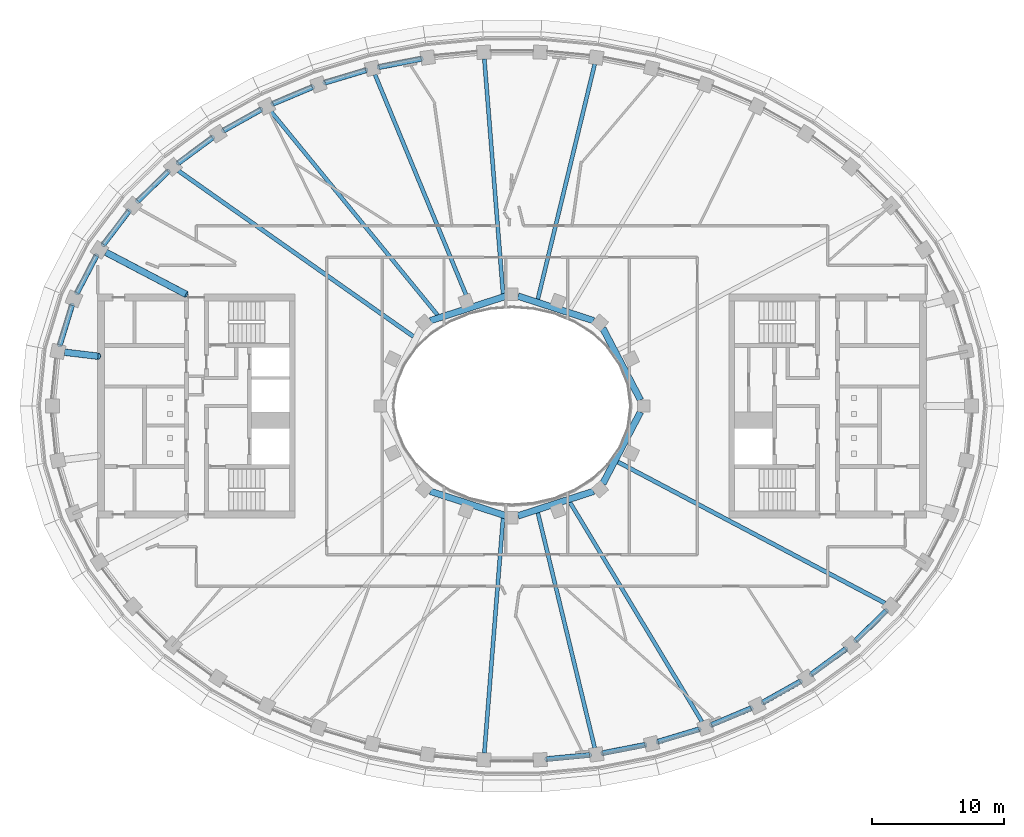
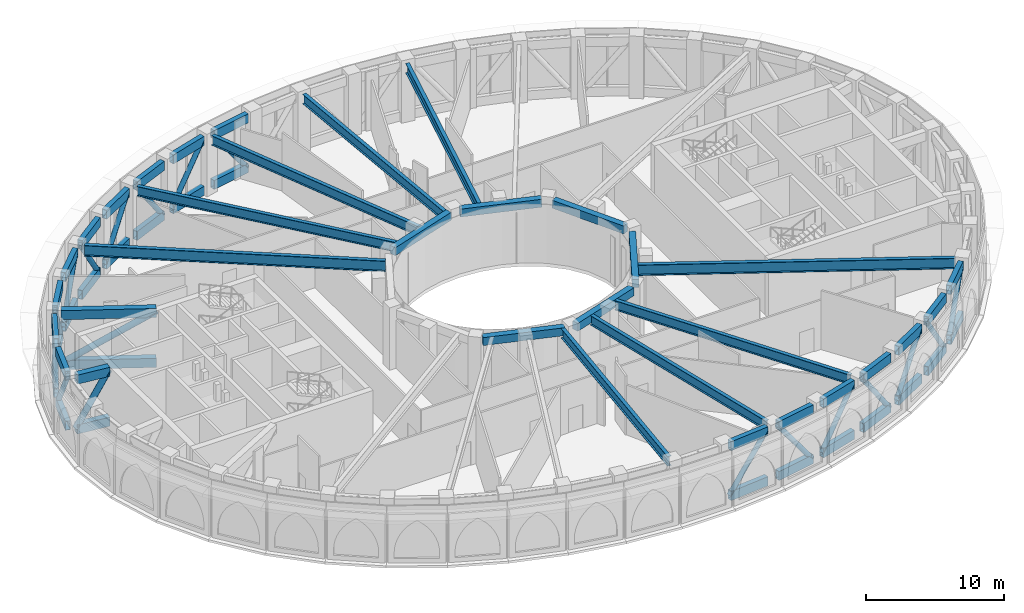
# One storey, part 2 of 23: 51 beams, 18 members.
"""IFC4 building model written with IfcOpenShell, lengths in metres."""

from ifc_helpers import new_model, si_unit, direction, frame, origin, origin_2d, place, context, subcontext, project, spatial, rectangle, hollow_rectangle, hollow_circle, i_section, extrude, material, material_profile, profile_set, type_object, element, save


model = new_model("IFC4")

# Units and contexts
model_context = context("Model", 3, precision=1e-05, world=origin(), true_north=direction((0.0, 1.0)))
body_context = subcontext(model_context, "Body", "Model", "MODEL_VIEW")
ifc_project = project(units=[si_unit("LENGTHUNIT", "METRE"), si_unit("AREAUNIT", "SQUARE_METRE"), si_unit("VOLUMEUNIT", "CUBIC_METRE"), si_unit("PLANEANGLEUNIT", "RADIAN"), si_unit("MASSUNIT", "GRAM", prefix="KILO")], contexts=[model_context])

# Site, building, storey
site_placement = place(None, origin())
site = spatial("IfcSite", under=ifc_project, at=site_placement, CompositionType="ELEMENT")
building_placement = place(site_placement, origin())
building = spatial("IfcBuilding", under=site, at=building_placement, Name="Noorbagh Ring Tower", CompositionType="ELEMENT")
storey_placement = place(building_placement, frame((0.0, 0.0, 285.5)))
storey = spatial("IfcBuildingStorey", under=building, at=storey_placement, Name="L61", CompositionType="ELEMENT", Elevation=285.5)

# Beams
ifc_material_1 = material(Name="Steel S460", Category="steel")
ifc_material_profile_1 = material_profile(ifc_material_1, hollow_rectangle(XDim=0.39990234375, YDim=0.800048828125, WallThickness=0.031982421875, at=origin_2d()), Name="BOX800x400x32")
ifc_profile_set_1 = profile_set([ifc_material_profile_1], Name="Steel S460")
beam_type_1 = type_object("IfcBeamType", Name="STR-BELT-TRUSS-CHORD-BOX800x400x32-S460", PredefinedType="BEAM", material=ifc_profile_set_1)
for number, where, z_axis, x_axis, name in (
    (1, (-6.905517578125, 26.394287109375, 0.39990234375), (-0.981625486335, -0.190817726057, 0.0), (0.190817726057, -0.981625486335, 0.0), "Belt truss chord"),
    (2, (-6.905517578125, 26.394287109375, 4.800048828125), (-0.981625486335, -0.190817726057, 0.0), (0.190817726057, -0.981625486335, 0.0), "Belt truss chord"),
):
    element("IfcBeam", number, at=place(storey_placement, frame(where, z_axis=z_axis, x_axis=x_axis)), inside=storey, type_object=beam_type_1, Name=name, PredefinedType="BEAM", context=body_context, shape_type="SweptSolid", body=[
        extrude(hollow_rectangle(XDim=0.39990234375, YDim=0.800048828125, WallThickness=0.031982421875, at=origin_2d()), origin(), (0.0, 0.0, 1.0), 3.271484375),
    ])
for number, where, z_axis, x_axis, name in (
    (3, (-11.097412109375, 25.52783203125, 0.39990234375), (-0.957591455389, -0.288129492704, 0.0), (0.288129492704, -0.957591455389, 0.0), "Belt truss chord"),
    (4, (-11.097412109375, 25.52783203125, 4.800048828125), (-0.957591455389, -0.288129492704, 0.0), (0.288129492704, -0.957591455389, 0.0), "Belt truss chord"),
):
    element("IfcBeam", number, at=place(storey_placement, frame(where, z_axis=z_axis, x_axis=x_axis)), inside=storey, type_object=beam_type_1, Name=name, PredefinedType="BEAM", context=body_context, shape_type="SweptSolid", body=[
        extrude(hollow_rectangle(XDim=0.39990234375, YDim=0.800048828125, WallThickness=0.031982421875, at=origin_2d()), origin(), (0.0, 0.0, 1.0), 3.266357421875),
    ])
for number, where, z_axis, x_axis, name in (
    (5, (-15.17578125, 24.244873046875, 0.39990234375), (-0.921797458045, -0.38767182815, 0.0), (0.38767182815, -0.921797458045, 0.0), "Belt truss chord"),
    (6, (-15.17578125, 24.244873046875, 4.800048828125), (-0.921797458045, -0.38767182815, 0.0), (0.38767182815, -0.921797458045, 0.0), "Belt truss chord"),
):
    element("IfcBeam", number, at=place(storey_placement, frame(where, z_axis=z_axis, x_axis=x_axis)), inside=storey, type_object=beam_type_1, Name=name, PredefinedType="BEAM", context=body_context, shape_type="SweptSolid", body=[
        extrude(hollow_rectangle(XDim=0.39990234375, YDim=0.800048828125, WallThickness=0.031982421875, at=origin_2d()), origin(), (0.0, 0.0, 1.0), 3.259033203125),
    ])
for number, where, z_axis, x_axis, name in (
    (7, (-19.08740234375, 22.537841796875, 0.39990234375), (-0.872036673164, -0.489440538428, 0.0), (0.489440538428, -0.872036673164, 0.0), "Belt truss chord"),
    (8, (-19.08740234375, 22.537841796875, 4.800048828125), (-0.872036673164, -0.489440538428, 0.0), (0.489440538428, -0.872036673164, 0.0), "Belt truss chord"),
):
    element("IfcBeam", number, at=place(storey_placement, frame(where, z_axis=z_axis, x_axis=x_axis)), inside=storey, type_object=beam_type_1, Name=name, PredefinedType="BEAM", context=body_context, shape_type="SweptSolid", body=[
        extrude(hollow_rectangle(XDim=0.39990234375, YDim=0.800048828125, WallThickness=0.031982421875, at=origin_2d()), origin(), (0.0, 0.0, 1.0), 3.249267578125),
    ])
for number, where, z_axis, x_axis, name in (
    (9, (-22.76953125, 20.39990234375, 0.39990234375), (-0.805139257041, -0.593085808944, 0.0), (0.593085808944, -0.805139257041, 0.0), "Belt truss chord"),
    (10, (-22.76953125, 20.39990234375, 4.800048828125), (-0.805139257041, -0.593085808944, 0.0), (0.593085808944, -0.805139257041, 0.0), "Belt truss chord"),
):
    element("IfcBeam", number, at=place(storey_placement, frame(where, z_axis=z_axis, x_axis=x_axis)), inside=storey, type_object=beam_type_1, Name=name, PredefinedType="BEAM", context=body_context, shape_type="SweptSolid", body=[
        extrude(hollow_rectangle(XDim=0.39990234375, YDim=0.800048828125, WallThickness=0.031982421875, at=origin_2d()), origin(), (0.0, 0.0, 1.0), 3.236328125),
    ])
for number, where, z_axis, x_axis, name in (
    (11, (-26.145751953125, 17.82763671875, 0.39990234375), (-0.717229582564, -0.69683694355, 0.0), (0.69683694355, -0.717229582564, 0.0), "Belt truss chord"),
    (12, (-26.145751953125, 17.82763671875, 4.800048828125), (-0.717229582564, -0.69683694355, 0.0), (0.69683694355, -0.717229582564, 0.0), "Belt truss chord"),
):
    element("IfcBeam", number, at=place(storey_placement, frame(where, z_axis=z_axis, x_axis=x_axis)), inside=storey, type_object=beam_type_1, Name=name, PredefinedType="BEAM", context=body_context, shape_type="SweptSolid", body=[
        extrude(hollow_rectangle(XDim=0.39990234375, YDim=0.800048828125, WallThickness=0.031982421875, at=origin_2d()), origin(), (0.0, 0.0, 1.0), 3.220458984375),
    ])
for number, where, z_axis, x_axis, name in (
    (13, (-29.124755859375, 14.826904296875, 0.39990234375), (-0.604005939895, -0.796979814406, 0.0), (0.796979814406, -0.604005939895, 0.0), "Belt truss chord"),
    (14, (-29.124755859375, 14.826904296875, 4.800048828125), (-0.604005939895, -0.796979814406, 0.0), (0.796979814406, -0.604005939895, 0.0), "Belt truss chord"),
):
    element("IfcBeam", number, at=place(storey_placement, frame(where, z_axis=z_axis, x_axis=x_axis)), inside=storey, type_object=beam_type_1, Name=name, PredefinedType="BEAM", context=body_context, shape_type="SweptSolid", body=[
        extrude(hollow_rectangle(XDim=0.39990234375, YDim=0.800048828125, WallThickness=0.031982421875, at=origin_2d()), origin(), (0.0, 0.0, 1.0), 3.2021484375),
    ])
for number, where, z_axis, x_axis, name in (
    (15, (-31.599365234375, 11.421630859375, 0.39990234375), (-0.462275020648, -0.886736604232, 0.0), (0.886736604232, -0.462275020648, 0.0), "Belt truss chord"),
    (16, (-31.599365234375, 11.421630859375, 4.800048828125), (-0.462275020648, -0.886736604232, 0.0), (0.886736604232, -0.462275020648, 0.0), "Belt truss chord"),
):
    element("IfcBeam", number, at=place(storey_placement, frame(where, z_axis=z_axis, x_axis=x_axis)), inside=storey, type_object=beam_type_1, Name=name, PredefinedType="BEAM", context=body_context, shape_type="SweptSolid", body=[
        extrude(hollow_rectangle(XDim=0.39990234375, YDim=0.800048828125, WallThickness=0.031982421875, at=origin_2d()), origin(), (0.0, 0.0, 1.0), 3.18310546875),
    ])
for number, where, z_axis, x_axis, name in (
    (17, (-33.453369140625, 7.664306640625, 0.39990234375), (-0.292140180951, -0.95637550924, 0.0), (0.95637550924, -0.292140180951, 0.0), "Belt truss chord"),
    (18, (-33.453369140625, 7.664306640625, 4.800048828125), (-0.292140180951, -0.95637550924, 0.0), (0.95637550924, -0.292140180951, 0.0), "Belt truss chord"),
):
    element("IfcBeam", number, at=place(storey_placement, frame(where, z_axis=z_axis, x_axis=x_axis)), inside=storey, type_object=beam_type_1, Name=name, PredefinedType="BEAM", context=body_context, shape_type="SweptSolid", body=[
        extrude(hollow_rectangle(XDim=0.39990234375, YDim=0.800048828125, WallThickness=0.031982421875, at=origin_2d()), origin(), (0.0, 0.0, 1.0), 3.16650390625),
    ])
for number, where, z_axis, x_axis, name in (
    (19, (2.646484375, -26.849853515625, 0.39990234375), (0.99547803004, 0.094992061289, 0.0), (-0.094992061289, 0.99547803004, 0.0), "Belt truss chord"),
    (20, (2.646484375, -26.849853515625, 4.800048828125), (0.99547803004, 0.094992061289, 0.0), (-0.094992061289, 0.99547803004, 0.0), "Belt truss chord"),
):
    element("IfcBeam", number, at=place(storey_placement, frame(where, z_axis=z_axis, x_axis=x_axis)), inside=storey, type_object=beam_type_1, Name=name, PredefinedType="BEAM", context=body_context, shape_type="SweptSolid", body=[
        extrude(hollow_rectangle(XDim=0.39990234375, YDim=0.800048828125, WallThickness=0.031982421875, at=origin_2d()), origin(), (0.0, 0.0, 1.0), 3.2744140625),
    ])
for number, where, z_axis, x_axis, name in (
    (21, (6.905517578125, -26.394287109375, 0.39990234375), (0.981625486335, 0.190817726057, 0.0), (-0.190817726057, 0.981625486335, 0.0), "Belt truss chord"),
    (22, (6.905517578125, -26.394287109375, 4.800048828125), (0.981625486335, 0.190817726057, 0.0), (-0.190817726057, 0.981625486335, 0.0), "Belt truss chord"),
):
    element("IfcBeam", number, at=place(storey_placement, frame(where, z_axis=z_axis, x_axis=x_axis)), inside=storey, type_object=beam_type_1, Name=name, PredefinedType="BEAM", context=body_context, shape_type="SweptSolid", body=[
        extrude(hollow_rectangle(XDim=0.39990234375, YDim=0.800048828125, WallThickness=0.031982421875, at=origin_2d()), origin(), (0.0, 0.0, 1.0), 3.271484375),
    ])
for number, where, z_axis, x_axis, name in (
    (23, (11.097412109375, -25.52783203125, 0.39990234375), (0.957591455389, 0.288129492704, 0.0), (-0.288129492704, 0.957591455389, 0.0), "Belt truss chord"),
    (24, (11.097412109375, -25.52783203125, 4.800048828125), (0.957591455389, 0.288129492704, 0.0), (-0.288129492704, 0.957591455389, 0.0), "Belt truss chord"),
):
    element("IfcBeam", number, at=place(storey_placement, frame(where, z_axis=z_axis, x_axis=x_axis)), inside=storey, type_object=beam_type_1, Name=name, PredefinedType="BEAM", context=body_context, shape_type="SweptSolid", body=[
        extrude(hollow_rectangle(XDim=0.39990234375, YDim=0.800048828125, WallThickness=0.031982421875, at=origin_2d()), origin(), (0.0, 0.0, 1.0), 3.266357421875),
    ])
for number, where, z_axis, x_axis, name in (
    (25, (15.17578125, -24.244873046875, 0.39990234375), (0.921797458045, 0.38767182815, 0.0), (-0.38767182815, 0.921797458045, 0.0), "Belt truss chord"),
    (26, (15.17578125, -24.244873046875, 4.800048828125), (0.921797458045, 0.38767182815, 0.0), (-0.38767182815, 0.921797458045, 0.0), "Belt truss chord"),
):
    element("IfcBeam", number, at=place(storey_placement, frame(where, z_axis=z_axis, x_axis=x_axis)), inside=storey, type_object=beam_type_1, Name=name, PredefinedType="BEAM", context=body_context, shape_type="SweptSolid", body=[
        extrude(hollow_rectangle(XDim=0.39990234375, YDim=0.800048828125, WallThickness=0.031982421875, at=origin_2d()), origin(), (0.0, 0.0, 1.0), 3.259033203125),
    ])
for number, where, z_axis, x_axis, name in (
    (27, (19.08740234375, -22.537841796875, 0.39990234375), (0.872036673164, 0.489440538428, 0.0), (-0.489440538428, 0.872036673164, 0.0), "Belt truss chord"),
    (28, (19.08740234375, -22.537841796875, 4.800048828125), (0.872036673164, 0.489440538428, 0.0), (-0.489440538428, 0.872036673164, 0.0), "Belt truss chord"),
):
    element("IfcBeam", number, at=place(storey_placement, frame(where, z_axis=z_axis, x_axis=x_axis)), inside=storey, type_object=beam_type_1, Name=name, PredefinedType="BEAM", context=body_context, shape_type="SweptSolid", body=[
        extrude(hollow_rectangle(XDim=0.39990234375, YDim=0.800048828125, WallThickness=0.031982421875, at=origin_2d()), origin(), (0.0, 0.0, 1.0), 3.249267578125),
    ])
for number, where, z_axis, x_axis, name in (
    (29, (22.76953125, -20.39990234375, 0.39990234375), (0.805139257041, 0.593085808944, 0.0), (-0.593085808944, 0.805139257041, 0.0), "Belt truss chord"),
    (30, (22.76953125, -20.39990234375, 4.800048828125), (0.805139257041, 0.593085808944, 0.0), (-0.593085808944, 0.805139257041, 0.0), "Belt truss chord"),
):
    element("IfcBeam", number, at=place(storey_placement, frame(where, z_axis=z_axis, x_axis=x_axis)), inside=storey, type_object=beam_type_1, Name=name, PredefinedType="BEAM", context=body_context, shape_type="SweptSolid", body=[
        extrude(hollow_rectangle(XDim=0.39990234375, YDim=0.800048828125, WallThickness=0.031982421875, at=origin_2d()), origin(), (0.0, 0.0, 1.0), 3.236328125),
    ])
for number, where, z_axis, x_axis, name in (
    (31, (26.145751953125, -17.82763671875, 0.39990234375), (0.717229582564, 0.69683694355, 0.0), (-0.69683694355, 0.717229582564, 0.0), "Belt truss chord"),
    (32, (26.145751953125, -17.82763671875, 4.800048828125), (0.717229582564, 0.69683694355, 0.0), (-0.69683694355, 0.717229582564, 0.0), "Belt truss chord"),
):
    element("IfcBeam", number, at=place(storey_placement, frame(where, z_axis=z_axis, x_axis=x_axis)), inside=storey, type_object=beam_type_1, Name=name, PredefinedType="BEAM", context=body_context, shape_type="SweptSolid", body=[
        extrude(hollow_rectangle(XDim=0.39990234375, YDim=0.800048828125, WallThickness=0.031982421875, at=origin_2d()), origin(), (0.0, 0.0, 1.0), 3.220458984375),
    ])

# Members
ifc_material_2 = material(Name="Steel S355", Category="steel")
ifc_material_profile_2 = material_profile(ifc_material_2, hollow_circle(Radius=0.203125, WallThickness=0.01611328125, at=origin_2d()), Name="CHS406.4x16")
ifc_profile_set_2 = profile_set([ifc_material_profile_2], Name="Steel S355")
member_type_1 = type_object("IfcMemberType", Name="STR-BELT-TRUSS-DIAGONAL-CHS406.4x16", PredefinedType="BRACE", material=ifc_profile_set_2)
member_1_placement = place(storey_placement, frame((-6.905517578125, 26.394287109375, 0.39990234375), z_axis=(-0.585696554173, -0.113853283337, 0.802494221975), x_axis=(0.190817726057, -0.981625486335, 0.0)))
element("IfcMember", 33, at=member_1_placement, inside=storey, type_object=member_type_1, Name="Belt truss diagonal", PredefinedType="BRACE", context=body_context, shape_type="SweptSolid", body=[
    extrude(hollow_circle(Radius=0.203125, WallThickness=0.01611328125, at=origin_2d()), origin(), (0.0, 0.0, 1.0), 5.483154296875),
])
member_2_placement = place(storey_placement, frame((-14.225341796875, 24.586669921875, 0.39990234375), z_axis=(0.570784203225, 0.171743139512, 0.802938159125), x_axis=(-0.288129492704, 0.957591455389, 0.0)))
element("IfcMember", 34, at=member_2_placement, inside=storey, type_object=member_type_1, Name="Belt truss diagonal", PredefinedType="BRACE", context=body_context, shape_type="SweptSolid", body=[
    extrude(hollow_circle(Radius=0.203125, WallThickness=0.01611328125, at=origin_2d()), origin(), (0.0, 0.0, 1.0), 5.47998046875),
])
member_3_placement = place(storey_placement, frame((-15.17578125, 24.244873046875, 0.39990234375), z_axis=(-0.548640736729, -0.230736758437, 0.803588134748), x_axis=(0.38767182815, -0.921797458045, 0.0)))
element("IfcMember", 35, at=member_3_placement, inside=storey, type_object=member_type_1, Name="Belt truss diagonal", PredefinedType="BRACE", context=body_context, shape_type="SweptSolid", body=[
    extrude(hollow_circle(Radius=0.203125, WallThickness=0.01611328125, at=origin_2d()), origin(), (0.0, 0.0, 1.0), 5.4755859375),
])
member_4_placement = place(storey_placement, frame((-21.9208984375, 20.947509765625, 0.39990234375), z_axis=(0.518021789464, 0.290745643337, 0.804437938266), x_axis=(-0.489440538428, 0.872036673164, 0.0)))
element("IfcMember", 36, at=member_4_placement, inside=storey, type_object=member_type_1, Name="Belt truss diagonal", PredefinedType="BRACE", context=body_context, shape_type="SweptSolid", body=[
    extrude(hollow_circle(Radius=0.203125, WallThickness=0.01611328125, at=origin_2d()), origin(), (0.0, 0.0, 1.0), 5.4697265625),
])
member_5_placement = place(storey_placement, frame((-22.76953125, 20.39990234375, 0.39990234375), z_axis=(-0.47704757351, -0.351405230295, 0.805568108064), x_axis=(0.593085808944, -0.805139257041, 0.0)))
element("IfcMember", 37, at=member_5_placement, inside=storey, type_object=member_type_1, Name="Belt truss diagonal", PredefinedType="BRACE", context=body_context, shape_type="SweptSolid", body=[
    extrude(hollow_circle(Radius=0.203125, WallThickness=0.01611328125, at=origin_2d()), origin(), (0.0, 0.0, 1.0), 5.462158203125),
])
member_6_placement = place(storey_placement, frame((-28.45556640625, 15.58349609375, 0.39990234375), z_axis=(0.423603877788, 0.411559755271, 0.806956208579), x_axis=(-0.69683694355, 0.717229582564, 0.0)))
element("IfcMember", 38, at=member_6_placement, inside=storey, type_object=member_type_1, Name="Belt truss diagonal", PredefinedType="BRACE", context=body_context, shape_type="SweptSolid", body=[
    extrude(hollow_circle(Radius=0.203125, WallThickness=0.01611328125, at=origin_2d()), origin(), (0.0, 0.0, 1.0), 5.452880859375),
])
member_7_placement = place(storey_placement, frame((-29.124755859375, 14.826904296875, 0.39990234375), z_axis=(-0.355403249819, -0.468951043973, 0.808562581607), x_axis=(0.796979814406, -0.604005939895, 0.0)))
element("IfcMember", 39, at=member_7_placement, inside=storey, type_object=member_type_1, Name="Belt truss diagonal", PredefinedType="BRACE", context=body_context, shape_type="SweptSolid", body=[
    extrude(hollow_circle(Radius=0.203125, WallThickness=0.01611328125, at=origin_2d()), origin(), (0.0, 0.0, 1.0), 5.44189453125),
])
member_8_placement = place(storey_placement, frame((-33.07080078125, 8.59912109375, 0.39990234375), z_axis=(0.270945515121, 0.519728073721, 0.810229138714), x_axis=(-0.886736604232, 0.462275020648, 0.0)))
element("IfcMember", 40, at=member_8_placement, inside=storey, type_object=member_type_1, Name="Belt truss diagonal", PredefinedType="BRACE", context=body_context, shape_type="SweptSolid", body=[
    extrude(hollow_circle(Radius=0.203125, WallThickness=0.01611328125, at=origin_2d()), origin(), (0.0, 0.0, 1.0), 5.4306640625),
])
member_9_placement = place(storey_placement, frame((-33.453369140625, 7.664306640625, 0.39990234375), z_axis=(-0.170640316934, -0.558622985288, 0.811678657194), x_axis=(0.95637550924, -0.292140180951, 0.0)))
element("IfcMember", 41, at=member_9_placement, inside=storey, type_object=member_type_1, Name="Belt truss diagonal", PredefinedType="BRACE", context=body_context, shape_type="SweptSolid", body=[
    extrude(hollow_circle(Radius=0.203125, WallThickness=0.01611328125, at=origin_2d()), origin(), (0.0, 0.0, 1.0), 5.421142578125),
])
member_10_placement = place(storey_placement, frame((2.646484375, -26.849853515625, 0.39990234375), z_axis=(0.594287775286, 0.056709057427, 0.802250660923), x_axis=(-0.094992061289, 0.99547803004, 0.0)))
element("IfcMember", 42, at=member_10_placement, inside=storey, type_object=member_type_1, Name="Belt truss diagonal", PredefinedType="BRACE", context=body_context, shape_type="SweptSolid", body=[
    extrude(hollow_circle(Radius=0.203125, WallThickness=0.01611328125, at=origin_2d()), origin(), (0.0, 0.0, 1.0), 5.48486328125),
])
member_11_placement = place(storey_placement, frame((10.116943359375, -25.77001953125, 0.39990234375), z_axis=(-0.585696554173, -0.113853283337, 0.802494221975), x_axis=(0.190817726057, -0.981625486335, 0.0)))
element("IfcMember", 43, at=member_11_placement, inside=storey, type_object=member_type_1, Name="Belt truss diagonal", PredefinedType="BRACE", context=body_context, shape_type="SweptSolid", body=[
    extrude(hollow_circle(Radius=0.203125, WallThickness=0.01611328125, at=origin_2d()), origin(), (0.0, 0.0, 1.0), 5.483154296875),
])
member_12_placement = place(storey_placement, frame((11.097412109375, -25.52783203125, 0.39990234375), z_axis=(0.570784203225, 0.171743139512, 0.802938159125), x_axis=(-0.288129492704, 0.957591455389, 0.0)))
element("IfcMember", 44, at=member_12_placement, inside=storey, type_object=member_type_1, Name="Belt truss diagonal", PredefinedType="BRACE", context=body_context, shape_type="SweptSolid", body=[
    extrude(hollow_circle(Radius=0.203125, WallThickness=0.01611328125, at=origin_2d()), origin(), (0.0, 0.0, 1.0), 5.47998046875),
])
member_13_placement = place(storey_placement, frame((18.179931640625, -22.9814453125, 0.39990234375), z_axis=(-0.548640736729, -0.230736758437, 0.803588134748), x_axis=(0.38767182815, -0.921797458045, 0.0)))
element("IfcMember", 45, at=member_13_placement, inside=storey, type_object=member_type_1, Name="Belt truss diagonal", PredefinedType="BRACE", context=body_context, shape_type="SweptSolid", body=[
    extrude(hollow_circle(Radius=0.203125, WallThickness=0.01611328125, at=origin_2d()), origin(), (0.0, 0.0, 1.0), 5.4755859375),
])
member_14_placement = place(storey_placement, frame((19.08740234375, -22.537841796875, 0.39990234375), z_axis=(0.518021789464, 0.290745643337, 0.804437938266), x_axis=(-0.489440538428, 0.872036673164, 0.0)))
element("IfcMember", 46, at=member_14_placement, inside=storey, type_object=member_type_1, Name="Belt truss diagonal", PredefinedType="BRACE", context=body_context, shape_type="SweptSolid", body=[
    extrude(hollow_circle(Radius=0.203125, WallThickness=0.01611328125, at=origin_2d()), origin(), (0.0, 0.0, 1.0), 5.4697265625),
])
member_15_placement = place(storey_placement, frame((25.375244140625, -18.48046875, 0.39990234375), z_axis=(-0.47704757351, -0.351405230295, 0.805568108064), x_axis=(0.593085808944, -0.805139257041, 0.0)))
element("IfcMember", 47, at=member_15_placement, inside=storey, type_object=member_type_1, Name="Belt truss diagonal", PredefinedType="BRACE", context=body_context, shape_type="SweptSolid", body=[
    extrude(hollow_circle(Radius=0.203125, WallThickness=0.01611328125, at=origin_2d()), origin(), (0.0, 0.0, 1.0), 5.462158203125),
])
member_16_placement = place(storey_placement, frame((26.145751953125, -17.82763671875, 0.39990234375), z_axis=(0.423603877788, 0.411559755271, 0.806956208579), x_axis=(-0.69683694355, 0.717229582564, 0.0)))
element("IfcMember", 48, at=member_16_placement, inside=storey, type_object=member_type_1, Name="Belt truss diagonal", PredefinedType="BRACE", context=body_context, shape_type="SweptSolid", body=[
    extrude(hollow_circle(Radius=0.203125, WallThickness=0.01611328125, at=origin_2d()), origin(), (0.0, 0.0, 1.0), 5.452880859375),
])

# Beams
ifc_material_3 = material(Name="Steel S460", Category="steel")
ifc_material_profile_3 = material_profile(ifc_material_3, hollow_rectangle(XDim=0.5, YDim=0.800048828125, WallThickness=0.0400390625, at=origin_2d()), Name="BOX800x500x40")
ifc_profile_set_3 = profile_set([ifc_material_profile_3], Name="Steel S460")
beam_type_2 = type_object("IfcBeamType", Name="STR-OUTRIGGER-TRUSS-CHORD-BOX800x500x40-S460", PredefinedType="BEAM", material=ifc_profile_set_3)
for number, where, z_axis, x_axis, name in (
    (49, (-30.88232421875, 11.688232421875, 0.39990234375), (0.885600826851, -0.464447171895, 0.0), (0.464447171895, 0.885600826851, 0.0), "Outrigger truss chord"),
    (50, (-30.88232421875, 11.688232421875, 4.800048828125), (0.885600826851, -0.464447171895, 0.0), (0.464447171895, 0.885600826851, 0.0), "Outrigger truss chord"),
):
    element("IfcBeam", number, at=place(storey_placement, frame(where, z_axis=z_axis, x_axis=x_axis)), inside=storey, type_object=beam_type_2, Name=name, PredefinedType="BEAM", context=body_context, shape_type="SweptSolid", body=[
        extrude(hollow_rectangle(XDim=0.5, YDim=0.800048828125, WallThickness=0.0400390625, at=origin_2d()), origin(), (0.0, 0.0, 1.0), 6.8798828125),
    ])
for number, where, z_axis, x_axis, name in (
    (51, (-34.023681640625, 4.090087890625, 0.39990234375), (0.992856079473, -0.119318085189, 0.0), (0.119318085189, 0.992856079473, 0.0), "Outrigger truss chord"),
    (52, (-34.023681640625, 4.090087890625, 4.800048828125), (0.992856079473, -0.119318085189, 0.0), (0.119318085189, 0.992856079473, 0.0), "Outrigger truss chord"),
):
    element("IfcBeam", number, at=place(storey_placement, frame(where, z_axis=z_axis, x_axis=x_axis)), inside=storey, type_object=beam_type_2, Name=name, PredefinedType="BEAM", context=body_context, shape_type="SweptSolid", body=[
        extrude(hollow_rectangle(XDim=0.5, YDim=0.800048828125, WallThickness=0.0400390625, at=origin_2d()), origin(), (0.0, 0.0, 1.0), 2.561767578125),
    ])

# Members
ifc_material_4 = material(Name="Steel S355", Category="steel")
ifc_material_profile_4 = material_profile(ifc_material_4, hollow_circle(Radius=0.25390625, WallThickness=0.02490234375, at=origin_2d()), Name="CHS508x25")
ifc_profile_set_4 = profile_set([ifc_material_profile_4], Name="Steel S355")
member_type_2 = type_object("IfcMemberType", Name="STR-OUTRIGGER-TRUSS-DIAGONAL-CHS508x25", PredefinedType="BRACE", material=ifc_profile_set_4)
member_17_placement = place(storey_placement, frame((-30.88232421875, 11.688232421875, 0.39990234375), z_axis=(0.746060855051, -0.391266407714, 0.538798476943), x_axis=(0.464447171895, 0.885600826851, 0.0)))
element("IfcMember", 53, at=member_17_placement, inside=storey, type_object=member_type_2, Name="Outrigger truss diagonal", PredefinedType="BRACE", context=body_context, shape_type="SweptSolid", body=[
    extrude(hollow_circle(Radius=0.25390625, WallThickness=0.02490234375, at=origin_2d()), origin(), (0.0, 0.0, 1.0), 8.16650390625),
])
member_18_placement = place(storey_placement, frame((-34.023681640625, 4.090087890625, 0.39990234375), z_axis=(0.499544627654, -0.060033583588, 0.864205492822), x_axis=(0.119318085189, 0.992856079473, 0.0)))
element("IfcMember", 54, at=member_18_placement, inside=storey, type_object=member_type_2, Name="Outrigger truss diagonal", PredefinedType="BRACE", context=body_context, shape_type="SweptSolid", body=[
    extrude(hollow_circle(Radius=0.25390625, WallThickness=0.02490234375, at=origin_2d()), origin(), (0.0, 0.0, 1.0), 5.091552734375),
])

# Beams
ifc_material_5 = material(Name="Steel S355", Category="steel")
ifc_material_profile_5 = material_profile(ifc_material_5, i_section(OverallWidth=0.300048828125, OverallDepth=0.85009765625, WebThickness=0.013916015625, FlangeThickness=0.028076171875, at=origin_2d()), Name="PG850x300x14x28")
ifc_profile_set_5 = profile_set([ifc_material_profile_5], Name="Steel S355")
beam_type_3 = type_object("IfcBeamType", Name="STR-RAD-PG850x300x14x28", PredefinedType="BEAM", material=ifc_profile_set_5)
beam_1_placement = place(storey_placement, frame((6.2900390625, 25.997802734375, 4.77490234375), z_axis=(-0.23516000693, -0.971956671432, 0.0), x_axis=(0.971956671432, -0.23516000693, 0.0)))
element("IfcBeam", 55, at=beam_1_placement, inside=storey, type_object=beam_type_3, Name="L61/bm/RD11", PredefinedType="BEAM", context=body_context, shape_type="SweptSolid", body=[
    extrude(i_section(OverallWidth=0.300048828125, OverallDepth=0.85009765625, WebThickness=0.013916015625, FlangeThickness=0.028076171875, at=origin_2d()), origin(), (0.0, 0.0, 1.0), 18.406005859375),
])
beam_2_placement = place(storey_placement, frame((-2.10302734375, 26.394287109375, 4.77490234375), z_axis=(0.079426932636, -0.996840690568, 0.0), x_axis=(0.996840690568, 0.079426932636, 0.0)))
element("IfcBeam", 56, at=beam_2_placement, inside=storey, type_object=beam_type_3, Name="L61/bm/RD13", PredefinedType="BEAM", context=body_context, shape_type="SweptSolid", body=[
    extrude(i_section(OverallWidth=0.300048828125, OverallDepth=0.85009765625, WebThickness=0.013916015625, FlangeThickness=0.028076171875, at=origin_2d()), origin(), (0.0, 0.0, 1.0), 17.92626953125),
])
beam_3_placement = place(storey_placement, frame((-10.41796875, 25.201416015625, 4.77490234375), z_axis=(0.382034660206, -0.924147995941, 0.0), x_axis=(0.924147995941, 0.382034660206, 0.0)))
element("IfcBeam", 57, at=beam_3_placement, inside=storey, type_object=beam_type_3, Name="L61/bm/RD15", PredefinedType="BEAM", context=body_context, shape_type="SweptSolid", body=[
    extrude(i_section(OverallWidth=0.300048828125, OverallDepth=0.85009765625, WebThickness=0.013916015625, FlangeThickness=0.028076171875, at=origin_2d()), origin(), (0.0, 0.0, 1.0), 18.9267578125),
])
beam_4_placement = place(storey_placement, frame((-18.3173828125, 22.383544921875, 4.77490234375), z_axis=(0.633312925982, -0.77389581843, 0.0), x_axis=(0.77389581843, 0.633312925982, 0.0)))
element("IfcBeam", 58, at=beam_4_placement, inside=storey, type_object=beam_type_3, Name="L61/bm/RD17", PredefinedType="BEAM", context=body_context, shape_type="SweptSolid", body=[
    extrude(i_section(OverallWidth=0.300048828125, OverallDepth=0.85009765625, WebThickness=0.013916015625, FlangeThickness=0.028076171875, at=origin_2d()), origin(), (0.0, 0.0, 1.0), 19.993896484375),
])
beam_5_placement = place(storey_placement, frame((-2.10302734375, -26.394287109375, 4.77490234375), z_axis=(0.079426932636, 0.996840690568, 0.0), x_axis=(-0.996840690568, 0.079426932636, 0.0)))
element("IfcBeam", 59, at=beam_5_placement, inside=storey, type_object=beam_type_3, Name="L61/bm/RD35", PredefinedType="BEAM", context=body_context, shape_type="SweptSolid", body=[
    extrude(i_section(OverallWidth=0.300048828125, OverallDepth=0.85009765625, WebThickness=0.013916015625, FlangeThickness=0.028076171875, at=origin_2d()), origin(), (0.0, 0.0, 1.0), 17.92626953125),
])
beam_6_placement = place(storey_placement, frame((6.2900390625, -25.997802734375, 4.77490234375), z_axis=(-0.23516000693, 0.971956671432, 0.0), x_axis=(-0.971956671432, -0.23516000693, 0.0)))
element("IfcBeam", 60, at=beam_6_placement, inside=storey, type_object=beam_type_3, Name="L61/bm/RD37", PredefinedType="BEAM", context=body_context, shape_type="SweptSolid", body=[
    extrude(i_section(OverallWidth=0.300048828125, OverallDepth=0.85009765625, WebThickness=0.013916015625, FlangeThickness=0.028076171875, at=origin_2d()), origin(), (0.0, 0.0, 1.0), 18.406005859375),
])
beam_7_placement = place(storey_placement, frame((14.44384765625, -23.999267578125, 4.77490234375), z_axis=(-0.515656906989, 0.856795164712, 0.0), x_axis=(-0.856795164712, -0.515656906989, 0.0)))
element("IfcBeam", 61, at=beam_7_placement, inside=storey, type_object=beam_type_3, Name="L61/bm/RD39", PredefinedType="BEAM", context=body_context, shape_type="SweptSolid", body=[
    extrude(i_section(OverallWidth=0.300048828125, OverallDepth=0.85009765625, WebThickness=0.013916015625, FlangeThickness=0.028076171875, at=origin_2d()), origin(), (0.0, 0.0, 1.0), 19.471923828125),
])
ifc_material_6 = material(Name="Steel S355", Category="steel")
ifc_material_profile_6 = material_profile(ifc_material_6, i_section(OverallWidth=0.320068359375, OverallDepth=0.949951171875, WebThickness=0.01611328125, FlangeThickness=0.030029296875, at=origin_2d()), Name="PG950x320x16x30")
ifc_profile_set_6 = profile_set([ifc_material_profile_6], Name="Steel S355")
beam_type_4 = type_object("IfcBeamType", Name="STR-RAD-PG950x320x16x30", PredefinedType="BEAM", material=ifc_profile_set_6)
beam_8_placement = place(storey_placement, frame((-25.355712890625, 17.87939453125, 4.72509765625), z_axis=(0.817252873121, -0.57627922171, 0.0), x_axis=(0.57627922171, 0.817252873121, 0.0)))
element("IfcBeam", 62, at=beam_8_placement, inside=storey, type_object=beam_type_4, Name="L61/bm/RD19", PredefinedType="BEAM", context=body_context, shape_type="SweptSolid", body=[
    extrude(i_section(OverallWidth=0.320068359375, OverallDepth=0.949951171875, WebThickness=0.01611328125, FlangeThickness=0.030029296875, at=origin_2d()), origin(), (0.0, 0.0, 1.0), 21.8564453125),
])
beam_9_placement = place(storey_placement, frame((28.35888671875, -14.9873046875, 4.72509765625), z_axis=(-0.884128728226, 0.467243396878, 0.0), x_axis=(-0.467243396878, -0.884128728226, 0.0)))
element("IfcBeam", 63, at=beam_9_placement, inside=storey, type_object=beam_type_4, Name="L61/bm/RD43", PredefinedType="BEAM", context=body_context, shape_type="SweptSolid", body=[
    extrude(i_section(OverallWidth=0.320068359375, OverallDepth=0.949951171875, WebThickness=0.01611328125, FlangeThickness=0.030029296875, at=origin_2d()), origin(), (0.0, 0.0, 1.0), 22.98486328125),
])
ifc_material_7 = material(Name="Concrete C40/50", Category="concrete")
ifc_material_profile_7 = material_profile(ifc_material_7, rectangle(XDim=0.5, YDim=0.699951171875, at=origin_2d()), Name="RC500x700")
ifc_profile_set_7 = profile_set([ifc_material_profile_7], Name="Concrete C40/50")
beam_type_5 = type_object("IfcBeamType", Name="STR-RB-RC500x700-C40-50", PredefinedType="BEAM", material=ifc_profile_set_7)
beam_10_placement = place(storey_placement, frame((9.768310546875, 0.457275390625, 4.85009765625), z_axis=(-0.464944392106, 0.885339885157, 0.0), x_axis=(-0.885339885157, -0.464944392106, 0.0)))
element("IfcBeam", 64, at=beam_10_placement, inside=storey, type_object=beam_type_5, Name="L61/bm/RG01", PredefinedType="BEAM", context=body_context, shape_type="SweptSolid", body=[
    extrude(rectangle(XDim=0.5, YDim=0.699951171875, at=origin_2d()), origin(), (0.0, 0.0, 1.0), 6.14892578125),
])
for number, where, z_axis, x_axis, name in (
    (65, (6.209228515625, 6.4873046875, 4.85009765625), (-0.951148201425, 0.308734673995, 0.0), (-0.308734673995, -0.951148201425, 0.0), "L61/bm/RG03"),
    (66, (-0.4560546875, 8.354736328125, 4.85009765625), (-0.951148201425, -0.308734673995, 0.0), (0.308734673995, -0.951148201425, 0.0), "L61/bm/RG05"),
    (67, (-6.209228515625, -6.4873046875, 4.85009765625), (0.951148201425, -0.308734673995, 0.0), (0.308734673995, 0.951148201425, 0.0), "L61/bm/RG11"),
    (68, (0.4560546875, -8.354736328125, 4.85009765625), (0.951148201425, 0.308734673995, 0.0), (-0.308734673995, 0.951148201425, 0.0), "L61/bm/RG13"),
):
    element("IfcBeam", number, at=place(storey_placement, frame(where, z_axis=z_axis, x_axis=x_axis)), inside=storey, type_object=beam_type_5, Name=name, PredefinedType="BEAM", context=body_context, shape_type="SweptSolid", body=[
        extrude(rectangle(XDim=0.5, YDim=0.699951171875, at=origin_2d()), origin(), (0.0, 0.0, 1.0), 6.048583984375),
    ])
beam_11_placement = place(storey_placement, frame((6.909423828125, -5.901123046875, 4.85009765625), z_axis=(0.464944392106, 0.885339885157, 0.0), x_axis=(-0.885339885157, 0.464944392106, 0.0)))
element("IfcBeam", 69, at=beam_11_placement, inside=storey, type_object=beam_type_5, Name="L61/bm/RG15", PredefinedType="BEAM", context=body_context, shape_type="SweptSolid", body=[
    extrude(rectangle(XDim=0.5, YDim=0.699951171875, at=origin_2d()), origin(), (0.0, 0.0, 1.0), 6.14892578125),
])

save(model, "model.ifc")
